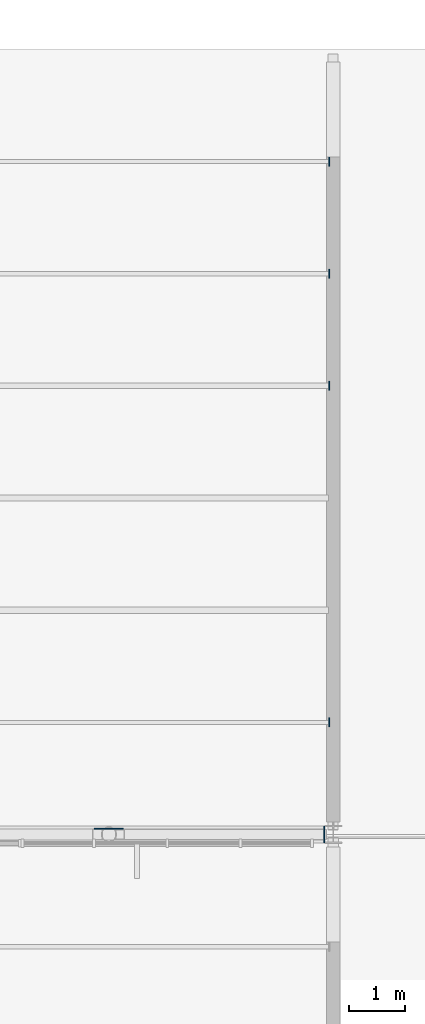
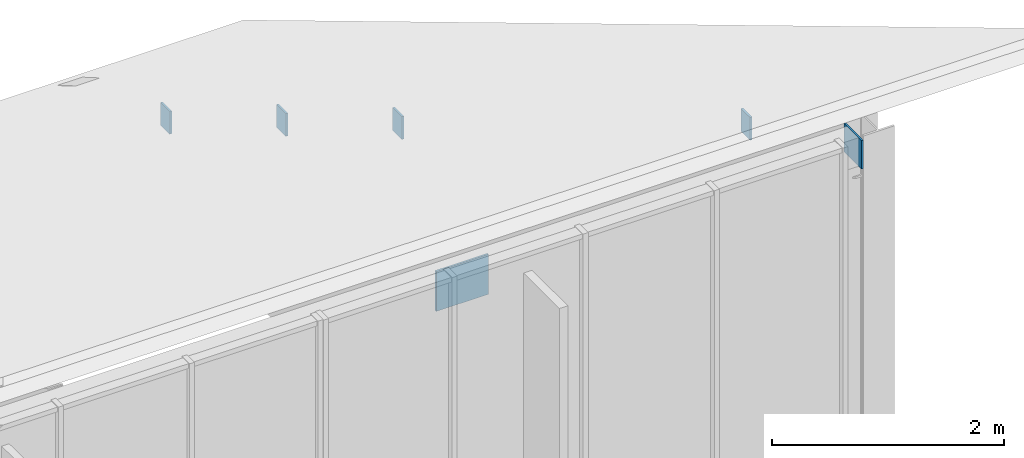
# One storey, part 103 of 155: 6 plates.
"""IFC4 building model written with IfcOpenShell, lengths in metres."""

from ifc_helpers import new_model, si_unit, direction, frame, origin, origin_2d, place, context, subcontext, project, spatial, rectangle, extrude, material, layer, layer_set, type_object, element, save


model = new_model("IFC4")

# Units and contexts
model_context = context("Model", 3, precision=1e-05, world=origin(), true_north=direction((0.0, 1.0)))
body_context = subcontext(model_context, "Body", "Model", "MODEL_VIEW")
ifc_project = project(units=[si_unit("LENGTHUNIT", "METRE"), si_unit("AREAUNIT", "SQUARE_METRE"), si_unit("VOLUMEUNIT", "CUBIC_METRE"), si_unit("PLANEANGLEUNIT", "RADIAN"), si_unit("MASSUNIT", "GRAM", prefix="KILO")], contexts=[model_context])

# Site, building, storey
site_placement = place(None, origin())
site = spatial("IfcSite", under=ifc_project, at=site_placement, CompositionType="ELEMENT")
building_placement = place(site_placement, origin())
building = spatial("IfcBuilding", under=site, at=building_placement, Name="Larkveld Mobility Hub", CompositionType="ELEMENT")
storey_placement = place(building_placement, frame((0.0, 0.0, 8.39990234375)))
storey = spatial("IfcBuildingStorey", under=building, at=storey_placement, Name="L02", CompositionType="ELEMENT", Elevation=8.39990234375)

# Plates
ifc_material = material(Name="Steel S355JR", Category="steel")
ifc_layer_1 = layer(ifc_material, 0.02001953125, Name="Steel S355JR", Category="steel")
ifc_layer_set_1 = layer_set([ifc_layer_1], Name="Steel S355JR")
plate_type_1 = type_object("IfcPlateType", Name="PT-EC01", PredefinedType="USERDEFINED", material=ifc_layer_set_1)
plate_1_placement = place(storey_placement, frame((183.840087890625, 112.0, 7.80029296875), z_axis=(0.0, 0.0, 1.0), x_axis=(1.0, 0.0, 0.0)))
element("IfcPlate", 1, at=plate_1_placement, inside=storey, type_object=plate_type_1, Name="Hollow Chord End Cap Plate EC-063", ObjectType="GUSSET PLATE", PredefinedType="USERDEFINED", context=body_context, shape_type="SweptSolid", body=[
    extrude(rectangle(XDim=0.02001953125, YDim=0.300048828125, at=origin_2d()), origin(), (0.0, 0.0, 1.0), 0.300048828125),
])
ifc_layer_2 = layer(ifc_material, 0.02001953125, Name="Steel S355JR", Category="steel")
ifc_layer_set_2 = layer_set([ifc_layer_2], Name="Steel S355JR")
plate_type_2 = type_object("IfcPlateType", Name="PT-EC02", PredefinedType="USERDEFINED", material=ifc_layer_set_2)
for number, where, z_axis, x_axis, name in (
    (2, (183.927978515625, 114.0, 6.81689453125), (0.0, 0.0, 1.0), (1.0, 0.0, 0.0), "Hollow Purlin End Cap Plate PEC-247"),
    (3, (183.927978515625, 120.0, 3.18701171875), (0.0, 0.0, 1.0), (1.0, 0.0, 0.0), "Hollow Purlin End Cap Plate PEC-255"),
    (4, (183.927978515625, 122.0, 2.00732421875), (0.0, 0.0, 1.0), (1.0, 0.0, 0.0), "Hollow Purlin End Cap Plate PEC-263"),
    (5, (183.927978515625, 124.0, 0.81689453125), (0.0, 0.0, 1.0), (1.0, 0.0, 0.0), "Hollow Purlin End Cap Plate PEC-271"),
):
    element("IfcPlate", number, at=place(storey_placement, frame(where, z_axis=z_axis, x_axis=x_axis)), inside=storey, type_object=plate_type_2, Name=name, ObjectType="GUSSET PLATE", PredefinedType="USERDEFINED", context=body_context, shape_type="SweptSolid", body=[
        extrude(rectangle(XDim=0.02001953125, YDim=0.159912109375, at=origin_2d()), origin(), (0.0, 0.0, 1.0), 0.239990234375),
    ])
ifc_layer_3 = layer(ifc_material, 0.02001953125, Name="Steel S355JR", Category="steel")
ifc_layer_set_3 = layer_set([ifc_layer_3], Name="Steel S355JR")
plate_type_3 = type_object("IfcPlateType", Name="PT-GS01", PredefinedType="USERDEFINED", material=ifc_layer_set_3)
plate_2_placement = place(storey_placement, frame((180.0, 112.10009765625, 7.590087890625), z_axis=(0.0, 0.0, 1.0), x_axis=(1.0, 0.0, 0.0)))
element("IfcPlate", 6, at=plate_2_placement, inside=storey, type_object=plate_type_3, Name="Truss Node Gusset Plate TN-061", ObjectType="GUSSET PLATE", PredefinedType="USERDEFINED", context=body_context, shape_type="SweptSolid", body=[
    extrude(rectangle(XDim=0.52001953125, YDim=0.02001953125, at=origin_2d()), origin(), (0.0, 0.0, 1.0), 0.419921875),
])

save(model, "model.ifc")
